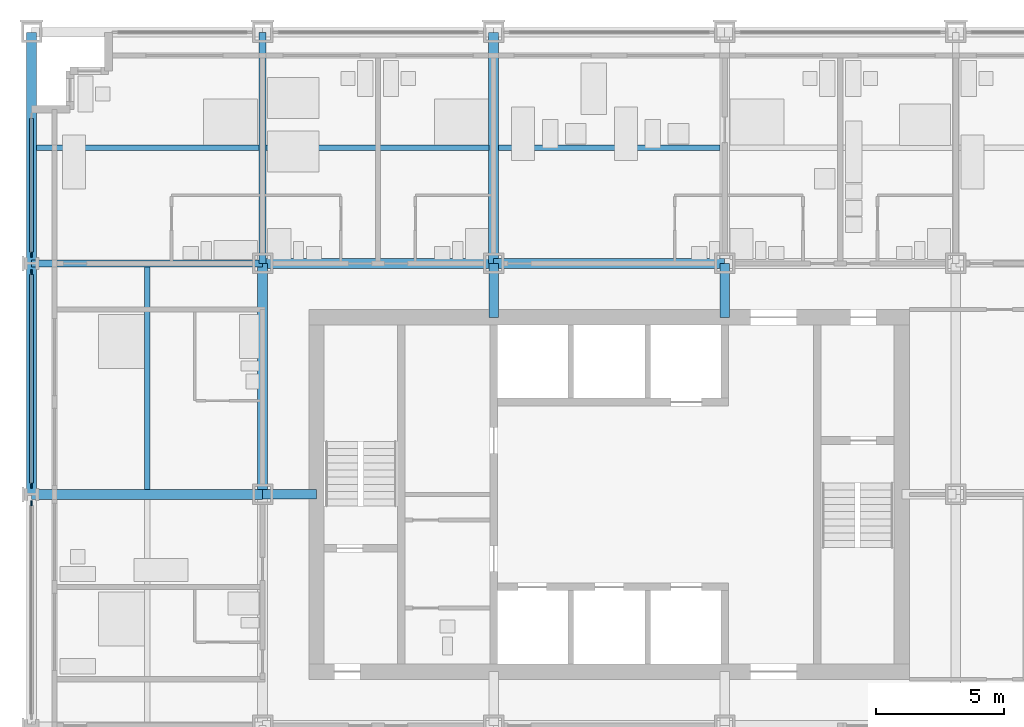
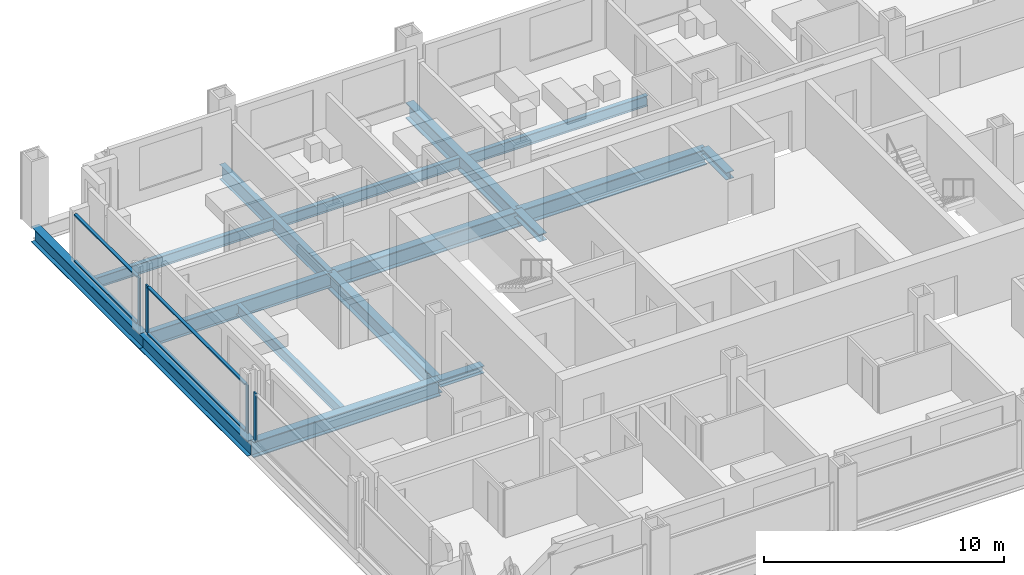
# One storey, part 4 of 18: 13 beams, 11 members, 3 elements without a shape of their own.
"""IFC4 building model written with IfcOpenShell, lengths in metres."""

from ifc_helpers import new_model, si_unit, direction, frame, origin, origin_2d, place, context, subcontext, project, spatial, rectangle, i_section, extrude, material, material_profile, profile_set, type_object, element, aggregate, save


model = new_model("IFC4")

# Units and contexts
model_context = context("Model", 3, precision=1e-05, world=origin(), true_north=direction((0.0, 1.0)))
body_context = subcontext(model_context, "Body", "Model", "MODEL_VIEW")
ifc_project = project(units=[si_unit("LENGTHUNIT", "METRE"), si_unit("AREAUNIT", "SQUARE_METRE"), si_unit("VOLUMEUNIT", "CUBIC_METRE"), si_unit("PLANEANGLEUNIT", "RADIAN"), si_unit("MASSUNIT", "GRAM", prefix="KILO")], contexts=[model_context])

# Site, building, storey
site_placement = place(None, origin())
site = spatial("IfcSite", under=ifc_project, at=site_placement, CompositionType="ELEMENT")
building_placement = place(site_placement, origin())
building = spatial("IfcBuilding", under=site, at=building_placement, Name="Loomwork Tower", CompositionType="ELEMENT")
storey_placement = place(building_placement, frame((0.0, 0.0, 34.800048828125)))
storey = spatial("IfcBuildingStorey", under=building, at=storey_placement, Name="L07", CompositionType="ELEMENT", Elevation=34.800048828125)

# Beams
ifc_material_1 = material(Name="Steel ASTM A992", Category="steel")
ifc_material_profile_1 = material_profile(ifc_material_1, i_section(OverallWidth=0.383544921875, OverallDepth=0.794921875, WebThickness=0.02099609375, FlangeThickness=0.0380859375, at=origin_2d()), Name="W30x235")
ifc_profile_set_1 = profile_set([ifc_material_profile_1], Name="Steel ASTM A992")
beam_type_1 = type_object("IfcBeamType", Name="CORE FLANK GIRDER W30x235", PredefinedType="BEAM", material=ifc_profile_set_1)
for number, where, z_axis, x_axis, name in (
    (1, (0.0, 18.0, -0.59765625), (1.0, 0.0, 0.0), (0.0, 1.0, 0.0), "Core Flank Girder F/2-F/3 L07"),
    (2, (9.0, 27.0, -0.59765625), (1.0, 0.0, 0.0), (0.0, 1.0, 0.0), "Core Flank Girder G/3-G/4 L07"),
    (3, (18.0, 27.0, -0.59765625), (1.0, 0.0, 0.0), (0.0, 1.0, 0.0), "Core Flank Girder G/4-G/5 L07"),
    (4, (9.0, 18.0, -0.59765625), (0.0, 1.0, 0.0), (-1.0, 0.0, 0.0), "Core Flank Girder F/3-G/3 L07"),
    (5, (18.0, 27.0, -0.59765625), (0.0, 1.0, 0.0), (-1.0, 0.0, 0.0), "Core Flank Girder G/4-H/4 L07"),
):
    element("IfcBeam", number, at=place(storey_placement, frame(where, z_axis=z_axis, x_axis=x_axis)), inside=storey, type_object=beam_type_1, Name=name, PredefinedType="BEAM", context=body_context, shape_type="SweptSolid", body=[
        extrude(i_section(OverallWidth=0.383544921875, OverallDepth=0.794921875, WebThickness=0.02099609375, FlangeThickness=0.0380859375, at=origin_2d()), origin(), (0.0, 0.0, 1.0), 9.0),
    ])

# Members
ifc_material_2 = material(Name="Steel ASTM A992", Category="steel")
ifc_material_profile_2 = material_profile(ifc_material_2, i_section(OverallWidth=0.373291015625, OverallDepth=0.373291015625, WebThickness=0.016357421875, FlangeThickness=0.026123046875, at=origin_2d()), Name="W14x132")
ifc_profile_set_2 = profile_set([ifc_material_profile_2], Name="Steel ASTM A992")
member_type_1 = type_object("IfcMemberType", Name="CORE LINK STRUT W14x132", PredefinedType="STRUT", material=ifc_profile_set_2)
for number, where, z_axis, x_axis, name in (
    (6, (27.0, 27.0, -0.38671875), (0.0, -1.0, 0.0), (1.0, 0.0, 0.0), "Core link strut G/5-27.000,24.900 L07"),
    (7, (18.0, 27.0, -0.38671875), (0.0, -1.0, 0.0), (1.0, 0.0, 0.0), "Core link strut G/4-18.000,24.900 L07"),
    (8, (9.0, 18.0, -0.38671875), (1.0, 0.0, 0.0), (0.0, 1.0, 0.0), "Core link strut F/3-11.100,18.000 L07"),
):
    element("IfcMember", number, at=place(storey_placement, frame(where, z_axis=z_axis, x_axis=x_axis)), inside=storey, type_object=member_type_1, Name=name, PredefinedType="STRUT", context=body_context, shape_type="SweptSolid", body=[
        extrude(i_section(OverallWidth=0.373291015625, OverallDepth=0.373291015625, WebThickness=0.016357421875, FlangeThickness=0.026123046875, at=origin_2d()), origin(), (0.0, 0.0, 1.0), 2.10009765625),
    ])

# Beams
ifc_material_3 = material(Name="Steel ASTM A992", Category="steel")
ifc_material_profile_3 = material_profile(ifc_material_3, i_section(OverallWidth=0.2666015625, OverallDepth=0.761962890625, WebThickness=0.014404296875, FlangeThickness=0.021484375, at=origin_2d()), Name="W30x116")
ifc_profile_set_3 = profile_set([ifc_material_profile_3], Name="Steel ASTM A992")
beam_type_2 = type_object("IfcBeamType", Name="FLOOR GIRDER W30x116", PredefinedType="BEAM", material=ifc_profile_set_3)
for number, where, z_axis, x_axis, name in (
    (9, (0.0, 27.0, -0.5810546875), (1.0, 0.0, 0.0), (0.0, 1.0, 0.0), "Floor Girder G/2-G/3 L07"),
    (10, (9.0, 27.0, -0.5810546875), (0.0, 1.0, 0.0), (-1.0, 0.0, 0.0), "Floor Girder G/3-H/3 L07"),
):
    element("IfcBeam", number, at=place(storey_placement, frame(where, z_axis=z_axis, x_axis=x_axis)), inside=storey, type_object=beam_type_2, Name=name, PredefinedType="BEAM", context=body_context, shape_type="SweptSolid", body=[
        extrude(i_section(OverallWidth=0.2666015625, OverallDepth=0.761962890625, WebThickness=0.014404296875, FlangeThickness=0.021484375, at=origin_2d()), origin(), (0.0, 0.0, 1.0), 9.0),
    ])
ifc_material_4 = material(Name="Steel ASTM A992", Category="steel")
ifc_material_profile_4 = material_profile(ifc_material_4, i_section(OverallWidth=0.2109375, OverallDepth=0.53857421875, WebThickness=0.011474609375, FlangeThickness=0.018798828125, at=origin_2d()), Name="W21x73")
ifc_profile_set_4 = profile_set([ifc_material_profile_4], Name="Steel ASTM A992")
beam_type_3 = type_object("IfcBeamType", Name="FLOOR JOIST W21x73", PredefinedType="JOIST", material=ifc_profile_set_4)
beam_1_placement = place(storey_placement, frame((4.5, 18.19091796875, -0.46923828125), z_axis=(0.0, 1.0, 0.0), x_axis=(-1.0, 0.0, 0.0)))
element("IfcBeam", 11, at=beam_1_placement, inside=storey, type_object=beam_type_3, Name="Floor Joist 4.500,18.000-4.500,27.000 L07", PredefinedType="JOIST", context=body_context, shape_type="SweptSolid", body=[
    extrude(i_section(OverallWidth=0.2109375, OverallDepth=0.53857421875, WebThickness=0.011474609375, FlangeThickness=0.018798828125, at=origin_2d()), origin(), (0.0, 0.0, 1.0), 8.676025390625),
])
beam_2_placement = place(storey_placement, frame((0.18994140625, 31.5, -0.46923828125), z_axis=(1.0, 0.0, 0.0), x_axis=(0.0, 1.0, 0.0)))
element("IfcBeam", 12, at=beam_2_placement, inside=storey, type_object=beam_type_3, Name="Floor Joist 0.000,31.500-9.000,31.500 L07", PredefinedType="JOIST", context=body_context, shape_type="SweptSolid", body=[
    extrude(i_section(OverallWidth=0.2109375, OverallDepth=0.53857421875, WebThickness=0.011474609375, FlangeThickness=0.018798828125, at=origin_2d()), origin(), (0.0, 0.0, 1.0), 8.677001953125),
])
beam_3_placement = place(storey_placement, frame((9.133056640625, 31.5, -0.46923828125), z_axis=(1.0, 0.0, 0.0), x_axis=(0.0, 1.0, 0.0)))
element("IfcBeam", 13, at=beam_3_placement, inside=storey, type_object=beam_type_3, Name="Floor Joist 9.000,31.500-18.000,31.500 L07", PredefinedType="JOIST", context=body_context, shape_type="SweptSolid", body=[
    extrude(i_section(OverallWidth=0.2109375, OverallDepth=0.53857421875, WebThickness=0.011474609375, FlangeThickness=0.018798828125, at=origin_2d()), origin(), (0.0, 0.0, 1.0), 8.676025390625),
])
beam_4_placement = place(storey_placement, frame((18.19091796875, 31.5, -0.46923828125), z_axis=(1.0, 0.0, 0.0), x_axis=(0.0, 1.0, 0.0)))
element("IfcBeam", 14, at=beam_4_placement, inside=storey, type_object=beam_type_3, Name="Floor Joist 18.000,31.500-27.000,31.500 L07", PredefinedType="JOIST", context=body_context, shape_type="SweptSolid", body=[
    extrude(i_section(OverallWidth=0.2109375, OverallDepth=0.53857421875, WebThickness=0.011474609375, FlangeThickness=0.018798828125, at=origin_2d()), origin(), (0.0, 0.0, 1.0), 8.6181640625),
])

# Curtain wall, member
ifc_material_5 = material(Name="Aluminium curtain wall frame", Category="aluminium")
curtain_wall_type = type_object("IfcCurtainWallType", Name="Outer skin glazing hotel", PredefinedType="NOTDEFINED", material=ifc_material_5)
curtain_wall_1_placement = place(storey_placement, origin())
curtain_wall_1 = element("IfcCurtainWall", 15, at=curtain_wall_1_placement, inside=storey, type_object=curtain_wall_type, Name="Outer skin glazing hotel cw/W-9", PredefinedType="NOTDEFINED")
ifc_material_6 = material(Name="Aluminium curtain wall frame", Category="aluminium")
ifc_material_profile_5 = material_profile(ifc_material_6, rectangle(XDim=0.06494140625, YDim=0.199951171875, at=origin_2d()), Name="AL 65x200")
ifc_profile_set_5 = profile_set([ifc_material_profile_5], Name="Aluminium curtain wall frame")
member_type_2 = type_object("IfcMemberType", Name="Outer skin glazing hotel mullion", PredefinedType="MULLION", material=ifc_profile_set_5)
member_1_placement = place(storey_placement, frame((0.0, 17.6611328125, 0.0), z_axis=(0.0, 0.0, 1.0), x_axis=(1.0, 0.0, 0.0)))
member_1 = element("IfcMember", 16, at=member_1_placement, type_object=member_type_2, Name="CW1 mullion 1", PredefinedType="MULLION", context=body_context, shape_type="SweptSolid", body=[
    extrude(rectangle(XDim=0.06494140625, YDim=0.199951171875, at=origin_2d()), origin(), (0.0, 0.0, 1.0), 2.420166015625),
])
aggregate(curtain_wall_1, [member_1])

# Curtain wall, members
curtain_wall_2_placement = place(storey_placement, origin())
curtain_wall_2 = element("IfcCurtainWall", 17, at=curtain_wall_2_placement, inside=storey, type_object=curtain_wall_type, Name="Outer skin glazing hotel cw/W-18", PredefinedType="NOTDEFINED")
member_2_placement = place(storey_placement, frame((0.0, 26.6611328125, 0.0), z_axis=(0.0, 0.0, 1.0), x_axis=(1.0, 0.0, 0.0)))
member_2 = element("IfcMember", 18, at=member_2_placement, type_object=member_type_2, Name="CW1 mullion 1", PredefinedType="MULLION", context=body_context, shape_type="SweptSolid", body=[
    extrude(rectangle(XDim=0.06494140625, YDim=0.199951171875, at=origin_2d()), origin(), (0.0, 0.0, 1.0), 2.420166015625),
])
member_3_placement = place(storey_placement, frame((0.0, 18.3388671875, 0.0), z_axis=(0.0, 0.0, 1.0), x_axis=(1.0, 0.0, 0.0)))
member_3 = element("IfcMember", 19, at=member_3_placement, type_object=member_type_2, Name="CW1 mullion 2", PredefinedType="MULLION", context=body_context, shape_type="SweptSolid", body=[
    extrude(rectangle(XDim=0.06494140625, YDim=0.199951171875, at=origin_2d()), origin(), (0.0, 0.0, 1.0), 2.420166015625),
])

# Curtain wall, member
curtain_wall_3_placement = place(storey_placement, origin())
curtain_wall_3 = element("IfcCurtainWall", 20, at=curtain_wall_3_placement, inside=storey, type_object=curtain_wall_type, Name="Outer skin glazing hotel cw/W-27", PredefinedType="NOTDEFINED")
member_4_placement = place(storey_placement, frame((0.0, 27.3388671875, 0.0), z_axis=(0.0, 0.0, 1.0), x_axis=(1.0, 0.0, 0.0)))
member_4 = element("IfcMember", 21, at=member_4_placement, type_object=member_type_2, Name="CW1 mullion 2", PredefinedType="MULLION", context=body_context, shape_type="SweptSolid", body=[
    extrude(rectangle(XDim=0.06494140625, YDim=0.199951171875, at=origin_2d()), origin(), (0.0, 0.0, 1.0), 2.420166015625),
])

# Member
ifc_material_7 = material(Name="Aluminium curtain wall frame", Category="aluminium")
ifc_material_profile_6 = material_profile(ifc_material_7, rectangle(XDim=0.14990234375, YDim=0.06494140625, at=origin_2d()), Name="AL 65x150")
ifc_profile_set_6 = profile_set([ifc_material_profile_6], Name="Aluminium curtain wall frame")
member_type_3 = type_object("IfcMemberType", Name="Outer skin glazing hotel transom", PredefinedType="USERDEFINED", material=ifc_profile_set_6)
member_5_placement = place(storey_placement, frame((0.0, 26.561279296875, 0.032470703125), z_axis=(0.0, -1.0, 0.0), x_axis=(1.0, 0.0, 0.0)))
member_5 = element("IfcMember", 22, at=member_5_placement, type_object=member_type_3, Name="CW1 transom 1.1", ObjectType="TRANSOM", PredefinedType="USERDEFINED", context=body_context, shape_type="SweptSolid", body=[
    extrude(rectangle(XDim=0.14990234375, YDim=0.06494140625, at=origin_2d()), origin(), (0.0, 0.0, 1.0), 8.12255859375),
])

member_6_placement = place(storey_placement, frame((0.0, 26.561279296875, 2.3876953125), z_axis=(0.0, -1.0, 0.0), x_axis=(1.0, 0.0, 0.0)))
member_6 = element("IfcMember", 23, at=member_6_placement, type_object=member_type_3, Name="CW1 transom 1.2", ObjectType="TRANSOM", PredefinedType="USERDEFINED", context=body_context, shape_type="SweptSolid", body=[
    extrude(rectangle(XDim=0.14990234375, YDim=0.06494140625, at=origin_2d()), origin(), (0.0, 0.0, 1.0), 8.12255859375),
])

aggregate(curtain_wall_2, [member_2, member_3, member_5, member_6])

member_7_placement = place(storey_placement, frame((0.0, 32.64990234375, 0.032470703125), z_axis=(0.0, -1.0, 0.0), x_axis=(1.0, 0.0, 0.0)))
member_7 = element("IfcMember", 24, at=member_7_placement, type_object=member_type_3, Name="CW1 transom 1.1", ObjectType="TRANSOM", PredefinedType="USERDEFINED", context=body_context, shape_type="SweptSolid", body=[
    extrude(rectangle(XDim=0.14990234375, YDim=0.06494140625, at=origin_2d()), origin(), (0.0, 0.0, 1.0), 5.211181640625),
])

member_8_placement = place(storey_placement, frame((0.0, 32.64990234375, 2.3876953125), z_axis=(0.0, -1.0, 0.0), x_axis=(1.0, 0.0, 0.0)))
member_8 = element("IfcMember", 25, at=member_8_placement, type_object=member_type_3, Name="CW1 transom 1.2", ObjectType="TRANSOM", PredefinedType="USERDEFINED", context=body_context, shape_type="SweptSolid", body=[
    extrude(rectangle(XDim=0.14990234375, YDim=0.06494140625, at=origin_2d()), origin(), (0.0, 0.0, 1.0), 5.211181640625),
])

aggregate(curtain_wall_3, [member_4, member_7, member_8])

# Beams
ifc_material_8 = material(Name="Steel ASTM A992", Category="steel")
ifc_material_profile_7 = material_profile(ifc_material_8, i_section(OverallWidth=0.381103515625, OverallDepth=0.77978515625, WebThickness=0.01806640625, FlangeThickness=0.0302734375, at=origin_2d()), Name="W30x191")
ifc_profile_set_7 = profile_set([ifc_material_profile_7], Name="Steel ASTM A992")
beam_type_4 = type_object("IfcBeamType", Name="SPANDREL GIRDER W30x191", PredefinedType="SPANDREL", material=ifc_profile_set_7)
for number, where, z_axis, x_axis, name in (
    (26, (0.0, 18.0, -0.58984375), (0.0, 1.0, 0.0), (-1.0, 0.0, 0.0), "Spandrel Girder F/2-G/2 L07"),
    (27, (0.0, 27.0, -0.58984375), (0.0, 1.0, 0.0), (-1.0, 0.0, 0.0), "Spandrel Girder G/2-H/2 L07"),
):
    element("IfcBeam", number, at=place(storey_placement, frame(where, z_axis=z_axis, x_axis=x_axis)), inside=storey, type_object=beam_type_4, Name=name, PredefinedType="SPANDREL", context=body_context, shape_type="SweptSolid", body=[
        extrude(i_section(OverallWidth=0.381103515625, OverallDepth=0.77978515625, WebThickness=0.01806640625, FlangeThickness=0.0302734375, at=origin_2d()), origin(), (0.0, 0.0, 1.0), 9.0),
    ])

save(model, "model.ifc")
